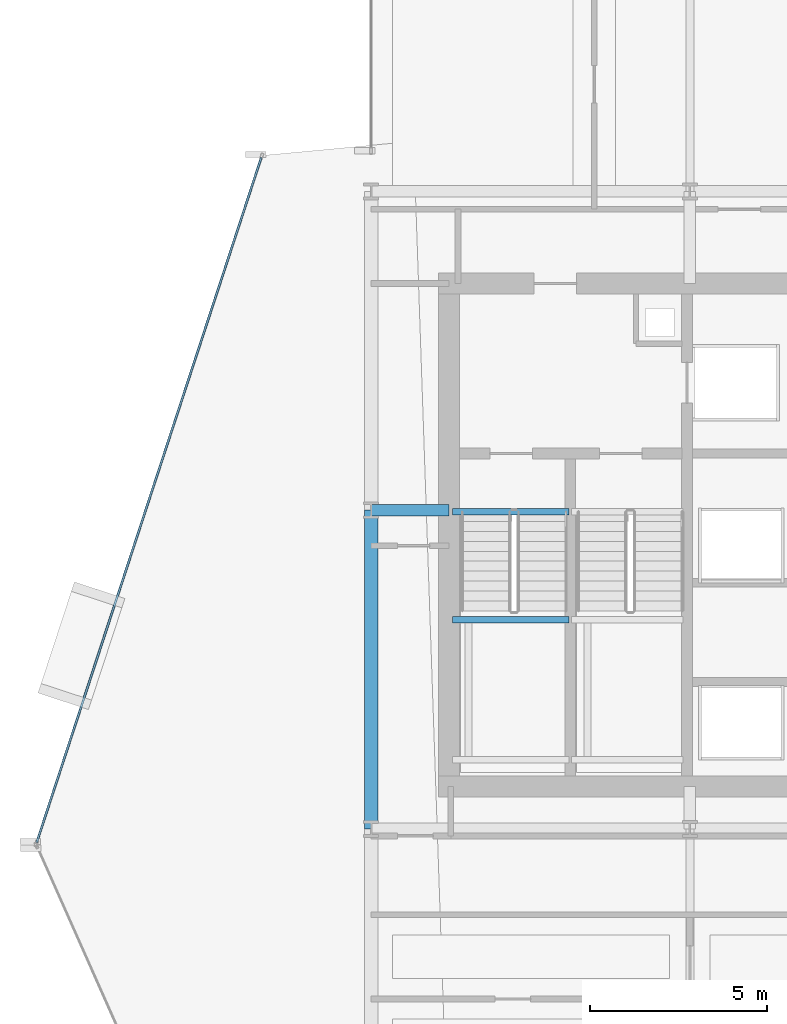
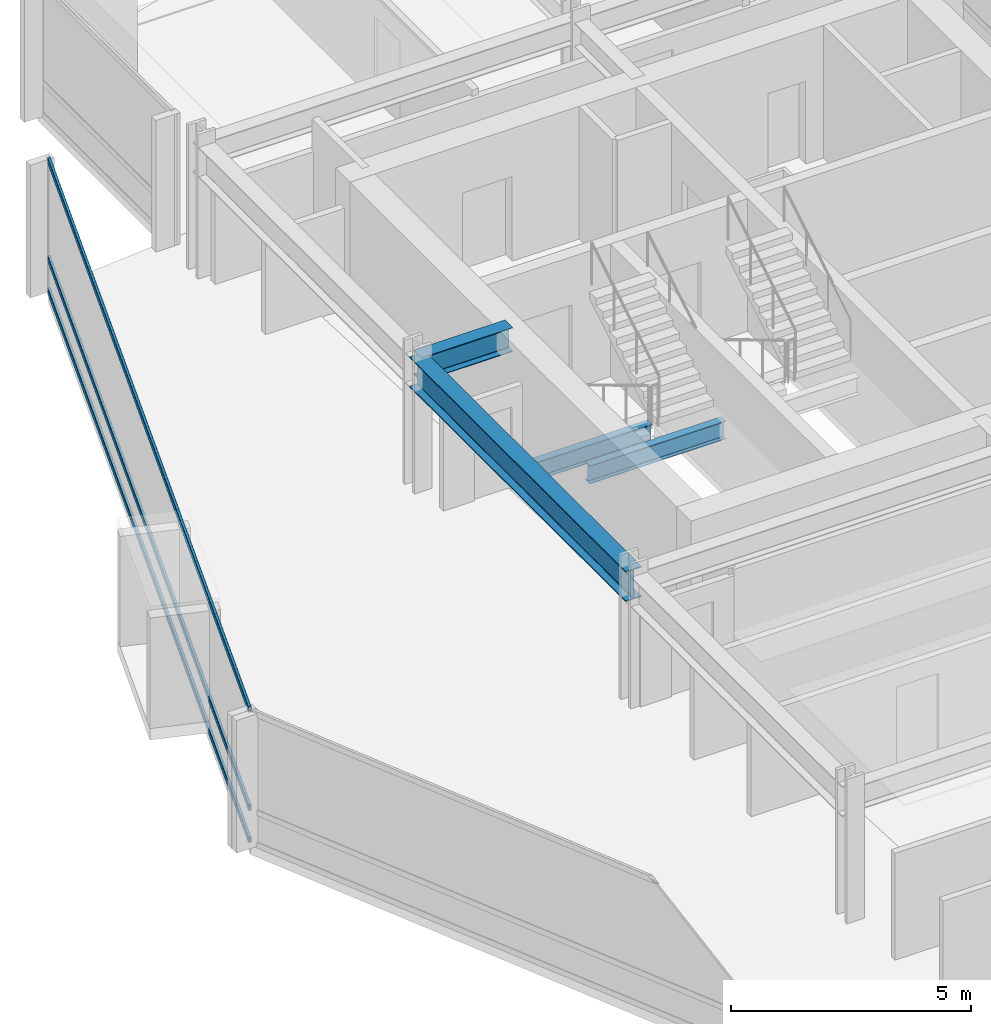
# One storey, part 19 of 35: 4 beams, 3 members, 1 element without a shape of its own.
"""IFC4 building model written with IfcOpenShell, lengths in metres."""

from ifc_helpers import new_model, si_unit, direction, frame, origin, origin_2d, place, context, subcontext, project, spatial, hollow_rectangle, i_section, extrude, material, layer, layer_set, material_profile, profile_set, type_object, element, aggregate, save


model = new_model("IFC4")

# Units and contexts
model_context = context("Model", 3, precision=1e-05, world=origin(), true_north=direction((0.0, 1.0)))
body_context = subcontext(model_context, "Body", "Model", "MODEL_VIEW")
ifc_project = project(units=[si_unit("LENGTHUNIT", "METRE"), si_unit("AREAUNIT", "SQUARE_METRE"), si_unit("VOLUMEUNIT", "CUBIC_METRE"), si_unit("PLANEANGLEUNIT", "RADIAN"), si_unit("MASSUNIT", "GRAM", prefix="KILO")], contexts=[model_context])

# Site, building, storey
site_placement = place(None, origin())
site = spatial("IfcSite", under=ifc_project, at=site_placement, CompositionType="ELEMENT")
building_placement = place(site_placement, origin())
building = spatial("IfcBuilding", under=site, at=building_placement, Name="Solvaryn Broadcast Tower", CompositionType="ELEMENT")
storey_placement = place(building_placement, frame((0.0, 0.0, 80.39990234375)))
storey = spatial("IfcBuildingStorey", under=building, at=storey_placement, Name="L19", CompositionType="ELEMENT", Elevation=80.39990234375)

# Beams
ifc_material_1 = material(Name="Steel ASTM A992 Grade 50", Category="steel")
ifc_material_profile_1 = material_profile(ifc_material_1, i_section(OverallWidth=0.323974609375, OverallDepth=0.611083984375, WebThickness=0.0126953125, FlangeThickness=0.01904296875, FilletRadius=0.014892578125, at=origin_2d()))
ifc_profile_set_1 = profile_set([ifc_material_profile_1], Name="Steel ASTM A992 Grade 50")
beam_type_1 = type_object("IfcBeamType", Name="BM-B1-W24X104", PredefinedType="BEAM", material=ifc_profile_set_1)
beam_1_placement = place(storey_placement, frame((9.0, 36.0, 3.064697265625), z_axis=(1.0, 0.0, 0.0), x_axis=(0.0, 1.0, 0.0)))
element("IfcBeam", 1, at=beam_1_placement, inside=storey, type_object=beam_type_1, Name="L19 Core Tie Beam CTW1", PredefinedType="BEAM", context=body_context, shape_type="SweptSolid", body=[
    extrude(i_section(OverallWidth=0.323974609375, OverallDepth=0.611083984375, WebThickness=0.0126953125, FlangeThickness=0.01904296875, FilletRadius=0.014892578125, at=origin_2d()), origin(), (0.0, 0.0, 1.0), 2.199951171875),
])
ifc_material_2 = material(Name="Steel ASTM A992 Grade 50", Category="steel")
ifc_material_profile_2 = material_profile(ifc_material_2, i_section(OverallWidth=0.18994140625, OverallDepth=0.45703125, WebThickness=0.009033203125, FlangeThickness=0.014404296875, FilletRadius=0.011962890625, at=origin_2d()))
ifc_profile_set_2 = profile_set([ifc_material_profile_2], Name="Steel ASTM A992 Grade 50")
beam_type_2 = type_object("IfcBeamType", Name="BM-B4-W18X50", PredefinedType="BEAM", material=ifc_profile_set_2)
for number, where, z_axis, x_axis, name in (
    (2, (11.300048828125, 35.9599609375, -0.50830078125), (1.0, 0.0, 0.0), (0.0, 1.0, 0.0), "L19 ST1 Stair Well Trimmer Beam"),
    (3, (11.300048828125, 32.909912109375, 1.421630859375), (1.0, 0.0, 0.0), (0.0, 1.0, 0.0), "L19 ST1 Landing Support Beam 1B"),
):
    element("IfcBeam", number, at=place(storey_placement, frame(where, z_axis=z_axis, x_axis=x_axis)), inside=storey, type_object=beam_type_2, Name=name, PredefinedType="BEAM", context=body_context, shape_type="SweptSolid", body=[
        extrude(i_section(OverallWidth=0.18994140625, OverallDepth=0.45703125, WebThickness=0.009033203125, FlangeThickness=0.014404296875, FilletRadius=0.011962890625, at=origin_2d()), origin(), (0.0, 0.0, 1.0), 3.280029296875),
    ])
ifc_material_3 = material(Name="Steel ASTM A992 Grade 50", Category="steel")
ifc_material_profile_3 = material_profile(ifc_material_3, i_section(OverallWidth=0.381103515625, OverallDepth=0.77294921875, WebThickness=0.0166015625, FlangeThickness=0.027099609375, FilletRadius=0.01806640625, at=origin_2d()))
ifc_profile_set_3 = profile_set([ifc_material_profile_3], Name="Steel ASTM A992 Grade 50")
beam_type_3 = type_object("IfcBeamType", Name="BM-SP1-W30X173", PredefinedType="USERDEFINED", material=ifc_profile_set_3)
beam_2_placement = place(storey_placement, frame((9.0, 27.0, 2.983642578125), z_axis=(0.0, 1.0, 0.0), x_axis=(-1.0, 0.0, 0.0)))
element("IfcBeam", 4, at=beam_2_placement, inside=storey, type_object=beam_type_3, Name="L19 Spandrel Beam Y (27-36 @ X=9)", ObjectType="SPANDREL", PredefinedType="USERDEFINED", context=body_context, shape_type="SweptSolid", body=[
    extrude(i_section(OverallWidth=0.381103515625, OverallDepth=0.77294921875, WebThickness=0.0166015625, FlangeThickness=0.027099609375, FilletRadius=0.01806640625, at=origin_2d()), origin(), (0.0, 0.0, 1.0), 9.0),
])

# Curtain wall, members
ifc_material_4 = material(Name="Aluminium and Terracotta Unitised Curtain Wall", Category="masonry")
ifc_layer = layer(ifc_material_4, 0.199951171875)
ifc_layer_set = layer_set([ifc_layer], Name="CW-SYS2-LOWMID")
curtain_wall_type = type_object("IfcCurtainWallType", Name="CW-SYS2-LOWMID", PredefinedType="NOTDEFINED", material=ifc_layer_set)
curtain_wall_placement = place(storey_placement, origin())
curtain_wall = element("IfcCurtainWall", 5, at=curtain_wall_placement, inside=storey, type_object=curtain_wall_type, Name="L19 Curtain Wall DR1", PredefinedType="NOTDEFINED")
ifc_material_5 = material(Name="Anodised Aluminium 6063-T6", Category="aluminium")
ifc_material_profile_4 = material_profile(ifc_material_5, hollow_rectangle(XDim=0.06494140625, YDim=0.14990234375, WallThickness=0.00390625, InnerFilletRadius=0.00390625, OuterFilletRadius=0.008056640625, at=origin_2d()))
ifc_profile_set_4 = profile_set([ifc_material_profile_4], Name="Anodised Aluminium 6063-T6")
member_type = type_object("IfcMemberType", Name="CW-TRN-150", PredefinedType="USERDEFINED", material=ifc_profile_set_4)
member_1_placement = place(storey_placement, frame((5.897216796875, 45.958984375, 0.030029296875), z_axis=(-0.311589549406, -0.950216792475, 0.0), x_axis=(0.950216792475, -0.311589549406, 0.0)))
member_1 = element("IfcMember", 6, at=member_1_placement, type_object=member_type, Name="CWS2 transom 1.1", ObjectType="TRANSOM", PredefinedType="USERDEFINED", context=body_context, shape_type="SweptSolid", body=[
    extrude(hollow_rectangle(XDim=0.06494140625, YDim=0.14990234375, WallThickness=0.00390625, InnerFilletRadius=0.00390625, OuterFilletRadius=0.008056640625, at=origin_2d()), origin(), (0.0, 0.0, 1.0), 20.35546875),
])
member_2_placement = place(storey_placement, frame((5.897216796875, 45.958984375, 0.85009765625), z_axis=(-0.311589549406, -0.950216792475, 0.0), x_axis=(0.950216792475, -0.311589549406, 0.0)))
member_2 = element("IfcMember", 7, at=member_2_placement, type_object=member_type, Name="CWS2 transom 1.2", ObjectType="TRANSOM", PredefinedType="USERDEFINED", context=body_context, shape_type="SweptSolid", body=[
    extrude(hollow_rectangle(XDim=0.06494140625, YDim=0.14990234375, WallThickness=0.00390625, InnerFilletRadius=0.00390625, OuterFilletRadius=0.008056640625, at=origin_2d()), origin(), (0.0, 0.0, 1.0), 20.35546875),
])
member_3_placement = place(storey_placement, frame((5.897216796875, 45.958984375, 3.340087890625), z_axis=(-0.311589549406, -0.950216792475, 0.0), x_axis=(0.950216792475, -0.311589549406, 0.0)))
member_3 = element("IfcMember", 8, at=member_3_placement, type_object=member_type, Name="CWS2 transom 1.3", ObjectType="TRANSOM", PredefinedType="USERDEFINED", context=body_context, shape_type="SweptSolid", body=[
    extrude(hollow_rectangle(XDim=0.06494140625, YDim=0.14990234375, WallThickness=0.00390625, InnerFilletRadius=0.00390625, OuterFilletRadius=0.008056640625, at=origin_2d()), origin(), (0.0, 0.0, 1.0), 20.35546875),
])
aggregate(curtain_wall, [member_1, member_2, member_3])

save(model, "model.ifc")
